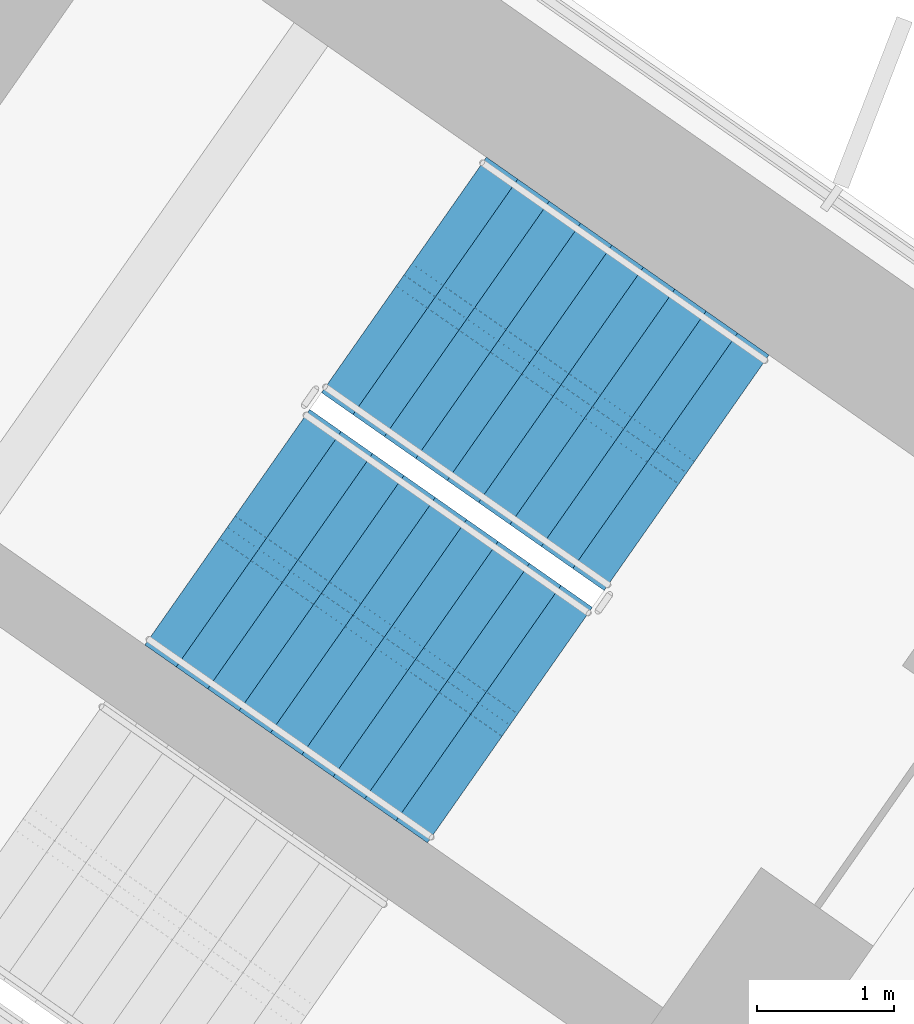
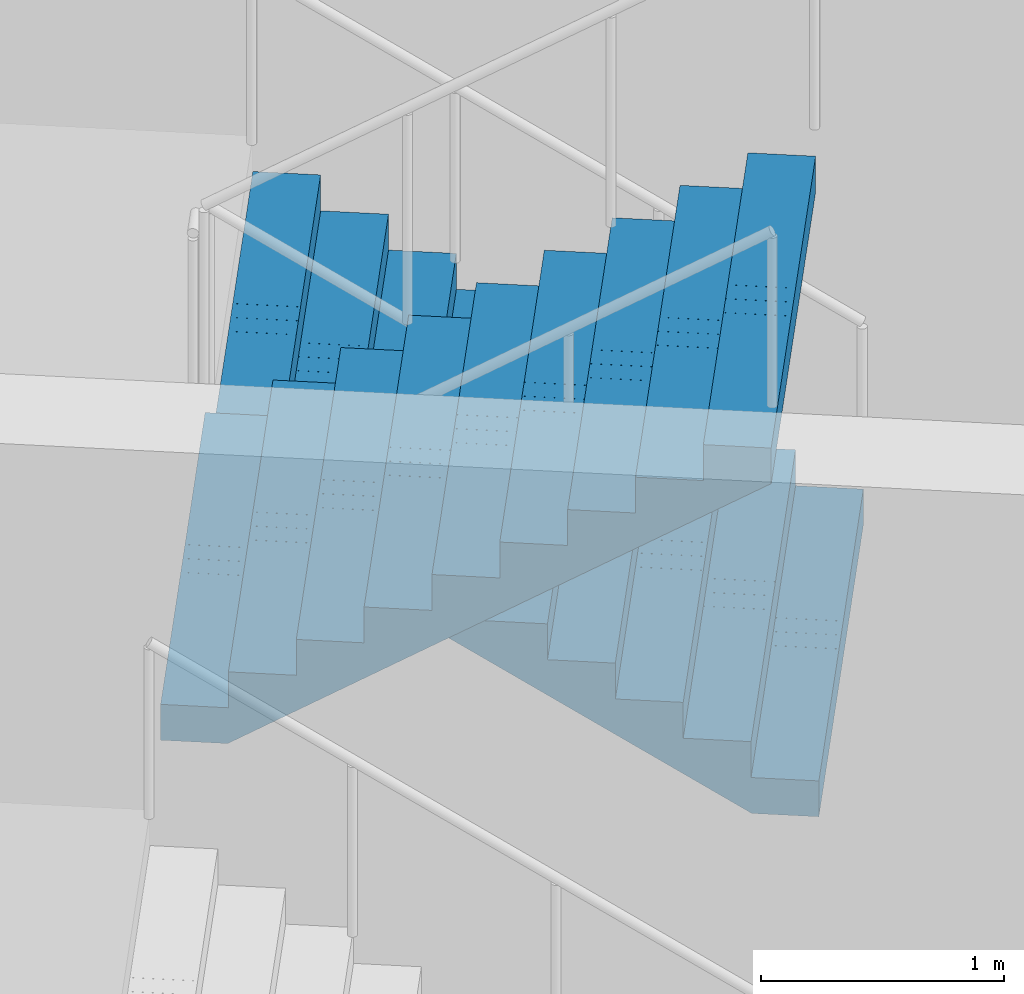
# One storey, part 18 of 24: 2 stair flights, 1 element without a shape of its own.
"""IFC4 building model written with IfcOpenShell, lengths in metres."""

from ifc_helpers import new_model, si_unit, direction, frame, origin, place, context, subcontext, project, spatial, polyline, outline, extrude, material, type_object, element, aggregate, save


model = new_model("IFC4")

# Units and contexts
model_context = context("Model", 3, precision=1e-05, world=origin(), true_north=direction((0.0, 1.0)))
body_context = subcontext(model_context, "Body", "Model", "MODEL_VIEW")
ifc_project = project(units=[si_unit("LENGTHUNIT", "METRE"), si_unit("AREAUNIT", "SQUARE_METRE"), si_unit("VOLUMEUNIT", "CUBIC_METRE"), si_unit("PLANEANGLEUNIT", "RADIAN"), si_unit("MASSUNIT", "GRAM", prefix="KILO")], contexts=[model_context])

# Site, building, storey
site_placement = place(None, origin())
site = spatial("IfcSite", under=ifc_project, at=site_placement, CompositionType="ELEMENT")
building_placement = place(site_placement, origin())
building = spatial("IfcBuilding", under=site, at=building_placement, Name="Tel Ilan Convention Tower", CompositionType="ELEMENT")
storey_placement = place(building_placement, frame((0.0, 0.0, 90.5)))
storey = spatial("IfcBuildingStorey", under=building, at=storey_placement, Name="L18", CompositionType="ELEMENT", Elevation=90.5)

# Stair, stair flights
ifc_material_1 = material(Name="Concrete C40/50", Category="concrete")
stair_type = type_object("IfcStairType", Name="Pressurised Exit Stair 20 risers 180 mm", PredefinedType="HALF_TURN_STAIR", material=ifc_material_1)
stair_placement = place(storey_placement, origin())
stair = element("IfcStair", 1, at=stair_placement, inside=storey, type_object=stair_type, Name="L18 Pressurised Stair S3", PredefinedType="HALF_TURN_STAIR")
ifc_material_2 = material(Name="Precast Concrete C40/50", Category="concrete")
stair_flight_type = type_object("IfcStairFlightType", Name="Concrete Stair Flight 2100 mm 20 risers 180 mm", PredefinedType="STRAIGHT", material=ifc_material_2)
stair_flight_1_placement = place(storey_placement, frame((24.25244140625, -7.032470703125, 0.0), z_axis=(0.0, 0.0, 1.0), x_axis=(-0.819152044289, 0.573576436351, 0.0)))
stair_flight_1 = element("IfcStairFlight", 2, at=stair_flight_1_placement, type_object=stair_flight_type, Name="S3 flight 1", NumberOfRisers=10, NumberOfTreads=9, PredefinedType="STRAIGHT", RiserHeight=0.18, TreadLength=0.28, context=body_context, shape_type="SweptSolid", body=[
    extrude(outline(polyline([(0.0, 0.0), (0.0, 0.179931640625), (0.280029296875, 0.179931640625), (0.280029296875, 0.360107421875), (0.56005859375, 0.360107421875), (0.56005859375, 0.5400390625), (0.840087890625, 0.5400390625), (0.840087890625, 0.719970703125), (1.1201171875, 0.719970703125), (1.1201171875, 0.89990234375), (1.39990234375, 0.89990234375), (1.39990234375, 1.080078125), (1.679931640625, 1.080078125), (1.679931640625, 1.260009765625), (1.9599609375, 1.260009765625), (1.9599609375, 1.43994140625), (2.239990234375, 1.43994140625), (2.239990234375, 1.6201171875), (2.52001953125, 1.6201171875), (2.52001953125, 1.800048828125), (2.52001953125, 1.44189453125), (0.277099609375, 0.0), (0.0, 0.0)])), frame((0.0, -0.100341796875, 0.0), z_axis=(0.0, -1.0, 0.0), x_axis=(1.0, 0.0, 0.0)), (0.0, 0.0, 1.0), 0.94970703125),
    extrude(outline(polyline([(0.0, 0.0), (0.0, 0.179931640625), (0.280029296875, 0.179931640625), (0.280029296875, 0.360107421875), (0.56005859375, 0.360107421875), (0.56005859375, 0.5400390625), (0.840087890625, 0.5400390625), (0.840087890625, 0.719970703125), (1.1201171875, 0.719970703125), (1.1201171875, 0.89990234375), (1.39990234375, 0.89990234375), (1.39990234375, 1.080078125), (1.679931640625, 1.080078125), (1.679931640625, 1.260009765625), (1.9599609375, 1.260009765625), (1.9599609375, 1.43994140625), (2.239990234375, 1.43994140625), (2.239990234375, 1.6201171875), (2.52001953125, 1.6201171875), (2.52001953125, 1.800048828125), (2.52001953125, 1.44189453125), (0.277099609375, 0.0), (0.0, 0.0)])), frame((0.0, -0.000244140625, 0.0), z_axis=(0.0, -1.0, 0.0), x_axis=(1.0, 0.0, 0.0)), (0.0, 0.0, 1.0), 0.099609375),
    extrude(outline(polyline([(0.0, 0.0), (0.0, 0.179931640625), (0.280029296875, 0.179931640625), (0.280029296875, 0.360107421875), (0.56005859375, 0.360107421875), (0.56005859375, 0.5400390625), (0.840087890625, 0.5400390625), (0.840087890625, 0.719970703125), (1.1201171875, 0.719970703125), (1.1201171875, 0.89990234375), (1.39990234375, 0.89990234375), (1.39990234375, 1.080078125), (1.679931640625, 1.080078125), (1.679931640625, 1.260009765625), (1.9599609375, 1.260009765625), (1.9599609375, 1.43994140625), (2.239990234375, 1.43994140625), (2.239990234375, 1.6201171875), (2.52001953125, 1.6201171875), (2.52001953125, 1.800048828125), (2.52001953125, 1.44189453125), (0.277099609375, 0.0), (0.0, 0.0)])), frame((0.0, 0.099853515625, 0.0), z_axis=(0.0, -1.0, 0.0), x_axis=(1.0, 0.0, 0.0)), (0.0, 0.0, 1.0), 0.099609375),
    extrude(outline(polyline([(0.0, 0.0), (0.0, 0.179931640625), (0.280029296875, 0.179931640625), (0.280029296875, 0.360107421875), (0.56005859375, 0.360107421875), (0.56005859375, 0.5400390625), (0.840087890625, 0.5400390625), (0.840087890625, 0.719970703125), (1.1201171875, 0.719970703125), (1.1201171875, 0.89990234375), (1.39990234375, 0.89990234375), (1.39990234375, 1.080078125), (1.679931640625, 1.080078125), (1.679931640625, 1.260009765625), (1.9599609375, 1.260009765625), (1.9599609375, 1.43994140625), (2.239990234375, 1.43994140625), (2.239990234375, 1.6201171875), (2.52001953125, 1.6201171875), (2.52001953125, 1.800048828125), (2.52001953125, 1.44189453125), (0.277099609375, 0.0), (0.0, 0.0)])), frame((0.0, 1.050048828125, 0.0), z_axis=(0.0, -1.0, 0.0), x_axis=(1.0, 0.0, 0.0)), (0.0, 0.0, 1.0), 0.94970703125),
])
stair_flight_2_placement = place(storey_placement, frame((20.8974609375, -7.43017578125, 1.800048828125), z_axis=(0.0, 0.0, 1.0), x_axis=(0.819152044289, -0.573576436351, 0.0)))
stair_flight_2 = element("IfcStairFlight", 3, at=stair_flight_2_placement, type_object=stair_flight_type, Name="S3 flight 2", NumberOfRisers=10, NumberOfTreads=9, PredefinedType="STRAIGHT", RiserHeight=0.18, TreadLength=0.28, context=body_context, shape_type="SweptSolid", body=[
    extrude(outline(polyline([(0.0, 0.0), (0.0, 0.179931640625), (0.280029296875, 0.179931640625), (0.280029296875, 0.360107421875), (0.56005859375, 0.360107421875), (0.56005859375, 0.5400390625), (0.840087890625, 0.5400390625), (0.840087890625, 0.719970703125), (1.1201171875, 0.719970703125), (1.1201171875, 0.89990234375), (1.39990234375, 0.89990234375), (1.39990234375, 1.080078125), (1.679931640625, 1.080078125), (1.679931640625, 1.260009765625), (1.9599609375, 1.260009765625), (1.9599609375, 1.43994140625), (2.239990234375, 1.43994140625), (2.239990234375, 1.6201171875), (2.52001953125, 1.6201171875), (2.52001953125, 1.800048828125), (2.52001953125, 1.44189453125), (0.277099609375, 0.0), (0.0, 0.0)])), frame((0.0, -0.100341796875, 0.0), z_axis=(0.0, -1.0, 0.0), x_axis=(1.0, 0.0, 0.0)), (0.0, 0.0, 1.0), 0.94970703125),
    extrude(outline(polyline([(0.0, 0.0), (0.0, 0.179931640625), (0.280029296875, 0.179931640625), (0.280029296875, 0.360107421875), (0.56005859375, 0.360107421875), (0.56005859375, 0.5400390625), (0.840087890625, 0.5400390625), (0.840087890625, 0.719970703125), (1.1201171875, 0.719970703125), (1.1201171875, 0.89990234375), (1.39990234375, 0.89990234375), (1.39990234375, 1.080078125), (1.679931640625, 1.080078125), (1.679931640625, 1.260009765625), (1.9599609375, 1.260009765625), (1.9599609375, 1.43994140625), (2.239990234375, 1.43994140625), (2.239990234375, 1.6201171875), (2.52001953125, 1.6201171875), (2.52001953125, 1.800048828125), (2.52001953125, 1.44189453125), (0.277099609375, 0.0), (0.0, 0.0)])), frame((0.0, -0.000244140625, 0.0), z_axis=(0.0, -1.0, 0.0), x_axis=(1.0, 0.0, 0.0)), (0.0, 0.0, 1.0), 0.099609375),
    extrude(outline(polyline([(0.0, 0.0), (0.0, 0.179931640625), (0.280029296875, 0.179931640625), (0.280029296875, 0.360107421875), (0.56005859375, 0.360107421875), (0.56005859375, 0.5400390625), (0.840087890625, 0.5400390625), (0.840087890625, 0.719970703125), (1.1201171875, 0.719970703125), (1.1201171875, 0.89990234375), (1.39990234375, 0.89990234375), (1.39990234375, 1.080078125), (1.679931640625, 1.080078125), (1.679931640625, 1.260009765625), (1.9599609375, 1.260009765625), (1.9599609375, 1.43994140625), (2.239990234375, 1.43994140625), (2.239990234375, 1.6201171875), (2.52001953125, 1.6201171875), (2.52001953125, 1.800048828125), (2.52001953125, 1.44189453125), (0.277099609375, 0.0), (0.0, 0.0)])), frame((0.0, 0.099853515625, 0.0), z_axis=(0.0, -1.0, 0.0), x_axis=(1.0, 0.0, 0.0)), (0.0, 0.0, 1.0), 0.099609375),
    extrude(outline(polyline([(0.0, 0.0), (0.0, 0.179931640625), (0.280029296875, 0.179931640625), (0.280029296875, 0.360107421875), (0.56005859375, 0.360107421875), (0.56005859375, 0.5400390625), (0.840087890625, 0.5400390625), (0.840087890625, 0.719970703125), (1.1201171875, 0.719970703125), (1.1201171875, 0.89990234375), (1.39990234375, 0.89990234375), (1.39990234375, 1.080078125), (1.679931640625, 1.080078125), (1.679931640625, 1.260009765625), (1.9599609375, 1.260009765625), (1.9599609375, 1.43994140625), (2.239990234375, 1.43994140625), (2.239990234375, 1.6201171875), (2.52001953125, 1.6201171875), (2.52001953125, 1.800048828125), (2.52001953125, 1.44189453125), (0.277099609375, 0.0), (0.0, 0.0)])), frame((0.0, 1.050048828125, 0.0), z_axis=(0.0, -1.0, 0.0), x_axis=(1.0, 0.0, 0.0)), (0.0, 0.0, 1.0), 0.94970703125),
])
aggregate(stair, [stair_flight_1, stair_flight_2])

save(model, "model.ifc")
